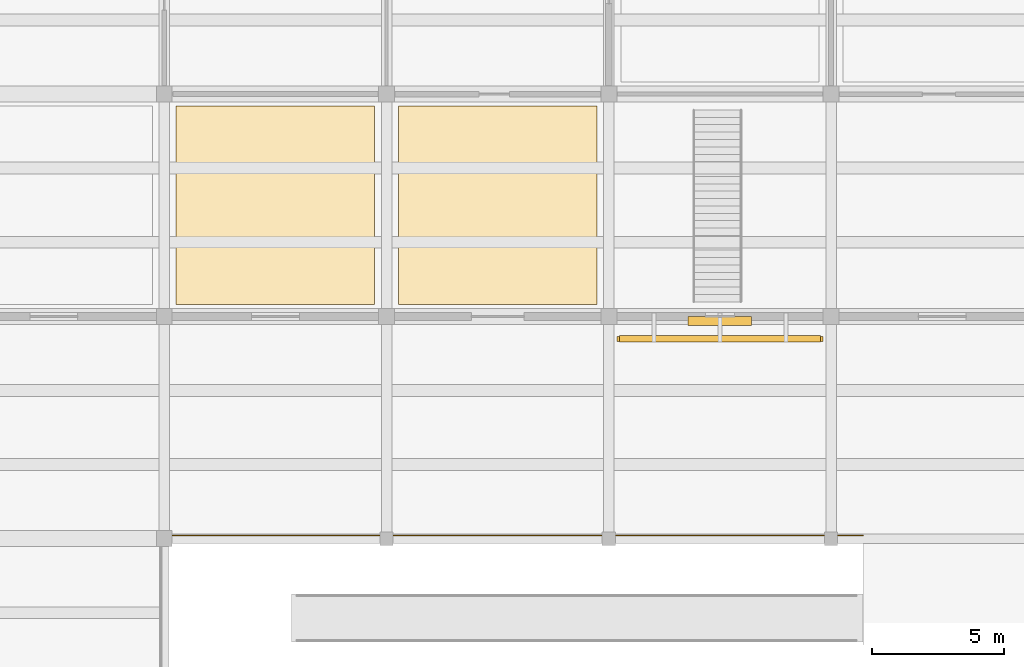
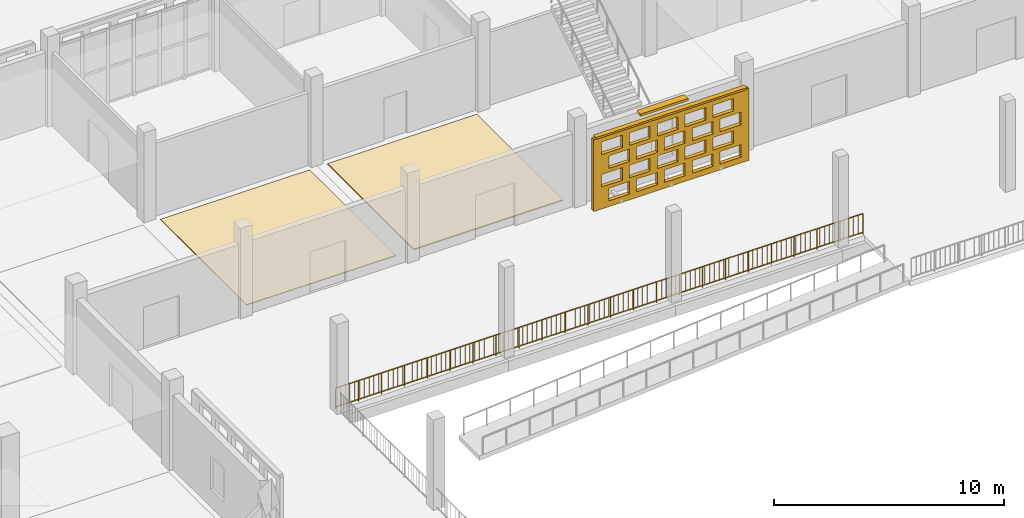
# One storey, part 91 of 129: 3 coverings, 2 shading devices, 1 railing, 20 openings.
"""IFC4 building model written with IfcOpenShell, lengths in metres."""

import ifcopenshell
import ifcopenshell.guid

model = None  # the IFC model being written
_history = None  # IfcOwnerHistory: only IFC2X3 demands one
_inside = {}  # id of a spatial element -> (the spatial element, [elements in it])
_under = {}  # id of a project, library or spatial element -> (it, [spatial elements below it])
_declared = {}  # id of a project -> (the project, [libraries it declares])
_typed = {}  # id of a type object -> (the type object, [elements of that type])
_made_of = {}  # id of a material, layer set ... -> (it, [elements and type objects made of it])


def new_model(schema):
    """Start an empty IFC model of exactly this schema.

    Asked for "IFC4X3", IfcOpenShell would pick the latest addendum, in which some entities
    have other attributes; the version numbers below select the first issue.
    IFC2X3 requires an IfcOwnerHistory on every rooted entity: one is made here for all.
    """
    global model, _history
    if schema == "IFC4X3":
        model = ifcopenshell.file(schema_version=(4, 3, 0, 0))
    else:
        model = ifcopenshell.file(schema=schema)
    _inside.clear()
    _under.clear()
    _declared.clear()
    _typed.clear()
    _made_of.clear()
    _history = None
    if model.schema == "IFC2X3":
        org = make("IfcOrganization", Name="unknown")
        user = make(
            "IfcPersonAndOrganization",
            ThePerson=make("IfcPerson", FamilyName="unknown"),
            TheOrganization=org,
        )
        app = make(
            "IfcApplication",
            ApplicationDeveloper=org,
            Version="unknown",
            ApplicationFullName="unknown",
            ApplicationIdentifier="unknown",
        )
        _history = make(
            "IfcOwnerHistory",
            OwningUser=user,
            OwningApplication=app,
            ChangeAction="ADDED",
            CreationDate=0,
        )
    return model


def make(cls, **values):
    """One entity of the class cls with the attributes given. An attribute that is None is left unset."""
    return model.create_entity(
        cls, **{name: value for name, value in values.items() if value is not None}
    )


def rooted(cls, **values):
    """An entity with a GlobalId (a new one), such as an element, a storey or a relation."""
    return make(cls, GlobalId=ifcopenshell.guid.new(), OwnerHistory=_history, **values)


def si_unit(unit_type, name, prefix=None):
    """IfcSIUnit, for example si_unit("LENGTHUNIT", "METRE", prefix="MILLI")."""
    return make("IfcSIUnit", UnitType=unit_type, Prefix=prefix, Name=name)


def assignment(units):
    """IfcUnitAssignment: the units of a project."""
    return None if units is None else make("IfcUnitAssignment", Units=units)


def point(xyz):
    """IfcCartesianPoint."""
    return None if xyz is None else make("IfcCartesianPoint", Coordinates=xyz)


def direction(xyz):
    """IfcDirection."""
    return None if xyz is None else make("IfcDirection", DirectionRatios=xyz)


def frame(location, z_axis=None, x_axis=None):
    """IfcAxis2Placement3D, a coordinate frame: its origin and axes. An axis left out is left unset."""
    return make(
        "IfcAxis2Placement3D",
        Location=point(location),
        Axis=direction(z_axis),
        RefDirection=direction(x_axis),
    )


def frame_2d(location, x_axis=None):
    """IfcAxis2Placement2D, a coordinate frame in the plane: its origin and x axis."""
    return make(
        "IfcAxis2Placement2D", Location=point(location), RefDirection=direction(x_axis)
    )


def origin():
    """The frame at (0, 0, 0) with its axes left unset."""
    return frame((0.0, 0.0, 0.0))


def origin_2d():
    """The frame at (0, 0) in the plane with its x axis left unset."""
    return frame_2d((0.0, 0.0))


def place(relative_to, where):
    """IfcLocalPlacement: puts the frame where relative to a parent placement (None: the world)."""
    return make(
        "IfcLocalPlacement", PlacementRelTo=relative_to, RelativePlacement=where
    )


def context(
    kind, dimensions, precision=None, world=None, true_north=None, identifier=None
):
    """IfcGeometricRepresentationContext, for example the 3D "Model" context."""
    return make(
        "IfcGeometricRepresentationContext",
        ContextIdentifier=identifier,
        ContextType=kind,
        CoordinateSpaceDimension=dimensions,
        Precision=precision,
        WorldCoordinateSystem=world,
        TrueNorth=true_north,
    )


def subcontext(parent, identifier, kind, view, scale=None):
    """IfcGeometricRepresentationSubContext, for example "Body" below "Model"."""
    return make(
        "IfcGeometricRepresentationSubContext",
        ContextIdentifier=identifier,
        ContextType=kind,
        ParentContext=parent,
        TargetScale=scale,
        TargetView=view,
    )


def project(units=None, contexts=None):
    """IfcProject with its units and contexts."""
    return rooted(
        "IfcProject",
        Name="project",
        RepresentationContexts=contexts,
        UnitsInContext=assignment(units),
    )


def spatial(cls, under=None, at=None, **own):
    """A site, building, storey or space (cls), placed at a placement, below another one or the project."""
    s = rooted(cls, ObjectPlacement=at, **own)
    if under is not None:
        _under.setdefault(under.id(), (under, []))[1].append(s)
    return s


def profile(cls, at=None, kind="AREA", **sizes):
    """A parametric profile (cls). Its sizes go by their IFC names, for example OverallWidth=200.0."""
    return make(cls, ProfileType=kind, Position=at, **sizes)


def rectangle(**sizes):
    """IfcRectangleProfileDef."""
    return profile("IfcRectangleProfileDef", **sizes)


def circle(**sizes):
    """IfcCircleProfileDef."""
    return profile("IfcCircleProfileDef", **sizes)


def extrude(swept, where, along, depth):
    """IfcExtrudedAreaSolid: the profile swept, set in the frame where, extruded along a direction by depth."""
    return make(
        "IfcExtrudedAreaSolid",
        SweptArea=swept,
        Position=where,
        ExtrudedDirection=direction(along),
        Depth=depth,
    )


def shape(context_of_items, identifier, shape_type, items):
    """IfcShapeRepresentation: the items that make up one representation, for example the "Body"."""
    return make(
        "IfcShapeRepresentation",
        ContextOfItems=context_of_items,
        RepresentationIdentifier=identifier,
        RepresentationType=shape_type,
        Items=items,
    )


def material(Name=None, Category=None):
    """IfcMaterial."""
    return make("IfcMaterial", Name=Name, Category=Category)


def layer(
    of_material, thickness, ventilated=None, Name=None, Category=None, Priority=None
):
    """IfcMaterialLayer: one layer of a wall or slab, of a material (None: an air gap)."""
    return make(
        "IfcMaterialLayer",
        Material=of_material,
        LayerThickness=thickness,
        IsVentilated=ventilated,
        Name=Name,
        Category=Category,
        Priority=Priority,
    )


def layer_set(layers, Name=None):
    """IfcMaterialLayerSet."""
    return make("IfcMaterialLayerSet", MaterialLayers=layers, LayerSetName=Name)


def made_of(thing, what):
    """Note that an element or type object is made of a material, layer set ...; save() writes the relation."""
    if what is not None:
        _made_of.setdefault(what.id(), (what, []))[1].append(thing)
    return thing


def type_object(cls, material=None, **own):
    """A type object (cls), such as IfcWallType, which elements share."""
    return made_of(rooted(cls, **own), material)


def element(
    cls,
    number,
    at=None,
    inside=None,
    cuts=None,
    type_object=None,
    material=None,
    context=None,
    identifier="Body",
    shape_type=None,
    held_by="IfcProductDefinitionShape",
    body=None,
    shapes=None,
    **own,
):
    """One element of the class cls, such as IfcWall. Its Tag is "e" and its number.

    at: its placement. inside: the storey or other place that contains it. cuts: it is an
    opening in that element (IfcRelVoidsElement). A single representation is given by context,
    identifier, shape_type and body (its items); several are given by shapes. held_by: the class
    of the entity that holds the representations. save() writes the other relations.
    """
    e = rooted(cls, Tag="e%d" % number, ObjectPlacement=at, **own)
    if body is not None:
        shapes = [shape(context, identifier, shape_type, body)]
    if shapes is not None:
        e.Representation = make(held_by, Representations=shapes)
    if inside is not None:
        _inside.setdefault(inside.id(), (inside, []))[1].append(e)
    if cuts is not None:
        rooted(
            "IfcRelVoidsElement", RelatingBuildingElement=cuts, RelatedOpeningElement=e
        )
    if type_object is not None:
        _typed.setdefault(type_object.id(), (type_object, []))[1].append(e)
    return made_of(e, material)


def aggregate(whole, parts):
    """IfcRelAggregates: a whole, such as a stair, and the parts it consists of."""
    return rooted("IfcRelAggregates", RelatingObject=whole, RelatedObjects=parts)


def save(model, path):
    """Write the relations noted so far, then the file.

    IfcRelAggregates (storeys below a building ...), IfcRelContainedInSpatialStructure (elements
    in a storey), IfcRelDefinesByType, IfcRelAssociatesMaterial and IfcRelDeclares: one each for
    every whole, place, type object, material and project.
    """
    for whole, parts in _under.values():
        aggregate(whole, parts)
    for where, things in _inside.values():
        rooted(
            "IfcRelContainedInSpatialStructure",
            RelatedElements=things,
            RelatingStructure=where,
        )
    for kind, things in _typed.values():
        rooted("IfcRelDefinesByType", RelatedObjects=things, RelatingType=kind)
    for what, things in _made_of.values():
        rooted("IfcRelAssociatesMaterial", RelatedObjects=things, RelatingMaterial=what)
    for by, libraries in _declared.values():
        rooted("IfcRelDeclares", RelatingContext=by, RelatedDefinitions=libraries)
    model.write(path)


model = new_model("IFC4")

# Units and contexts
model_context = context("Model", 3, precision=1e-05, world=origin(), true_north=direction((0.0, 1.0)))
body_context = subcontext(model_context, "Body", "Model", "MODEL_VIEW")
ifc_project = project(units=[si_unit("LENGTHUNIT", "METRE"), si_unit("AREAUNIT", "SQUARE_METRE"), si_unit("VOLUMEUNIT", "CUBIC_METRE"), si_unit("PLANEANGLEUNIT", "RADIAN"), si_unit("MASSUNIT", "GRAM", prefix="KILO")], contexts=[model_context])

# Site, building, storey
site_placement = place(None, origin())
site = spatial("IfcSite", under=ifc_project, at=site_placement, CompositionType="ELEMENT")
building_placement = place(site_placement, origin())
building = spatial("IfcBuilding", under=site, at=building_placement, Name="Varnapada Polytechnic", CompositionType="ELEMENT")
storey_placement = place(building_placement, origin())
storey = spatial("IfcBuildingStorey", under=building, at=storey_placement, Name="L00", CompositionType="ELEMENT", Elevation=0.0)

# Coverings
ifc_material_1 = material(Name="End-Grain Timber Studio Block Flooring", Category="wood")
ifc_layer_1 = layer(ifc_material_1, 0.054931640625)
ifc_layer_set_1 = layer_set([ifc_layer_1], Name="End-Grain Timber Studio Block Flooring")
covering_type_1 = type_object("IfcCoveringType", Name="Floor Finish FLR-04", PredefinedType="FLOORING", material=ifc_layer_set_1)
covering_1_placement = place(storey_placement, frame((71.39990234375, 29.39990234375, 0.0), z_axis=(0.0, 0.0, 1.0), x_axis=(1.0, 0.0, 0.0)))
element("IfcCovering", 1, at=covering_1_placement, inside=storey, type_object=covering_type_1, Name="L00 floor finish panel (9,4)", PredefinedType="FLOORING", context=body_context, shape_type="SweptSolid", body=[
    extrude(rectangle(XDim=7.5, YDim=7.5, at=origin_2d()), origin(), (0.0, 0.0, 1.0), 0.054931640625),
])
ifc_material_2 = material(Name="Acoustic Rubber Seminar Flooring")
ifc_layer_2 = layer(ifc_material_2, 0.0400390625)
ifc_layer_set_2 = layer_set([ifc_layer_2], Name="Acoustic Rubber Seminar Flooring")
covering_type_2 = type_object("IfcCoveringType", Name="Floor Finish FLR-06", PredefinedType="FLOORING", material=ifc_layer_set_2)
covering_2_placement = place(storey_placement, frame((63.0, 29.39990234375, 0.0), z_axis=(0.0, 0.0, 1.0), x_axis=(1.0, 0.0, 0.0)))
element("IfcCovering", 2, at=covering_2_placement, inside=storey, type_object=covering_type_2, Name="L00 floor finish panel (8,4)", PredefinedType="FLOORING", context=body_context, shape_type="SweptSolid", body=[
    extrude(rectangle(XDim=7.5, YDim=7.5, at=origin_2d()), origin(), (0.0, 0.0, 1.0), 0.0400390625),
])

# Shading device
ifc_material_3 = material(Name="Anodised aluminium", Category="aluminium")
ifc_layer_3 = layer(ifc_material_3, 0.35009765625)
ifc_layer_set_3 = layer_set([ifc_layer_3], Name="Anodised aluminium")
shading_device_type_1 = type_object("IfcShadingDeviceType", Name="Solar Louvre LVR-01", PredefinedType="JALOUSIE", material=ifc_layer_set_3)
shading_device_1_placement = place(storey_placement, frame((79.800048828125, 25.02001953125, 3.760009765625), z_axis=(0.0, 0.0, 1.0), x_axis=(-1.0, 0.0, 0.0)))
element("IfcShadingDevice", 3, at=shading_device_1_placement, inside=storey, type_object=shading_device_type_1, Name="L00 aluminium sun louvre 52", PredefinedType="JALOUSIE", context=body_context, shape_type="SweptSolid", body=[
    extrude(rectangle(XDim=2.39990234375, YDim=0.340087890625, at=origin_2d()), origin(), (0.0, 0.0, 1.0), 0.1201171875),
])

# Railing
ifc_material_4 = material(Name="Painted galvanized steel", Category="steel")
railing_type = type_object("IfcRailingType", Name="Terrace Guard Rail GRD-01", PredefinedType="BALUSTRADE", material=ifc_material_4)
railing_placement = place(storey_placement, frame((58.679931640625, 16.919921875, 0.0)))
element("IfcRailing", 4, at=railing_placement, inside=storey, type_object=railing_type, Name="L00 civic square colonnade edge guard GRD-SQ-NW", PredefinedType="BALUSTRADE", context=body_context, shape_type="SweptSolid", body=[
    extrude(circle(Radius=0.02392578125, at=origin_2d()), frame((0.0, 0.0, 1.09619140625), z_axis=(1.0, 0.0, 0.0), x_axis=(0.0, 1.0, 0.0)), (0.0, 0.0, 1.0), 26.52001953125),
    extrude(circle(Radius=0.02392578125, at=origin_2d()), frame((0.0, 0.0, 0.10009765625), z_axis=(1.0, 0.0, 0.0), x_axis=(0.0, 1.0, 0.0)), (0.0, 0.0, 1.0), 26.52001953125),
    extrude(circle(Radius=0.02099609375, at=origin_2d()), origin(), (0.0, 0.0, 1.0), 1.072021484375),
    extrude(circle(Radius=0.02099609375, at=origin_2d()), frame((1.153076171875, 0.0, 0.0)), (0.0, 0.0, 1.0), 1.072021484375),
    extrude(circle(Radius=0.02099609375, at=origin_2d()), frame((2.30615234375, 0.0, 0.0)), (0.0, 0.0, 1.0), 1.072021484375),
    extrude(circle(Radius=0.02099609375, at=origin_2d()), frame((3.459228515625, 0.0, 0.0)), (0.0, 0.0, 1.0), 1.072021484375),
    extrude(circle(Radius=0.02099609375, at=origin_2d()), frame((4.612060546875, 0.0, 0.0)), (0.0, 0.0, 1.0), 1.072021484375),
    extrude(circle(Radius=0.02099609375, at=origin_2d()), frame((5.76513671875, 0.0, 0.0)), (0.0, 0.0, 1.0), 1.072021484375),
    extrude(circle(Radius=0.02099609375, at=origin_2d()), frame((6.918212890625, 0.0, 0.0)), (0.0, 0.0, 1.0), 1.072021484375),
    extrude(circle(Radius=0.02099609375, at=origin_2d()), frame((8.0712890625, 0.0, 0.0)), (0.0, 0.0, 1.0), 1.072021484375),
    extrude(circle(Radius=0.02099609375, at=origin_2d()), frame((9.224365234375, 0.0, 0.0)), (0.0, 0.0, 1.0), 1.072021484375),
    extrude(circle(Radius=0.02099609375, at=origin_2d()), frame((10.37744140625, 0.0, 0.0)), (0.0, 0.0, 1.0), 1.072021484375),
    extrude(circle(Radius=0.02099609375, at=origin_2d()), frame((11.530517578125, 0.0, 0.0)), (0.0, 0.0, 1.0), 1.072021484375),
    extrude(circle(Radius=0.02099609375, at=origin_2d()), frame((12.68359375, 0.0, 0.0)), (0.0, 0.0, 1.0), 1.072021484375),
    extrude(circle(Radius=0.02099609375, at=origin_2d()), frame((13.83642578125, 0.0, 0.0)), (0.0, 0.0, 1.0), 1.072021484375),
    extrude(circle(Radius=0.02099609375, at=origin_2d()), frame((14.989501953125, 0.0, 0.0)), (0.0, 0.0, 1.0), 1.072021484375),
    extrude(circle(Radius=0.02099609375, at=origin_2d()), frame((16.142578125, 0.0, 0.0)), (0.0, 0.0, 1.0), 1.072021484375),
    extrude(circle(Radius=0.02099609375, at=origin_2d()), frame((17.295654296875, 0.0, 0.0)), (0.0, 0.0, 1.0), 1.072021484375),
    extrude(circle(Radius=0.02099609375, at=origin_2d()), frame((18.44873046875, 0.0, 0.0)), (0.0, 0.0, 1.0), 1.072021484375),
    extrude(circle(Radius=0.02099609375, at=origin_2d()), frame((19.601806640625, 0.0, 0.0)), (0.0, 0.0, 1.0), 1.072021484375),
    extrude(circle(Radius=0.02099609375, at=origin_2d()), frame((20.7548828125, 0.0, 0.0)), (0.0, 0.0, 1.0), 1.072021484375),
    extrude(circle(Radius=0.02099609375, at=origin_2d()), frame((21.907958984375, 0.0, 0.0)), (0.0, 0.0, 1.0), 1.072021484375),
    extrude(circle(Radius=0.02099609375, at=origin_2d()), frame((23.060791015625, 0.0, 0.0)), (0.0, 0.0, 1.0), 1.072021484375),
    extrude(circle(Radius=0.02099609375, at=origin_2d()), frame((24.2138671875, 0.0, 0.0)), (0.0, 0.0, 1.0), 1.072021484375),
    extrude(circle(Radius=0.02099609375, at=origin_2d()), frame((25.366943359375, 0.0, 0.0)), (0.0, 0.0, 1.0), 1.072021484375),
    extrude(circle(Radius=0.02099609375, at=origin_2d()), frame((26.52001953125, 0.0, 0.0)), (0.0, 0.0, 1.0), 1.072021484375),
    extrude(circle(Radius=0.010009765625, at=origin_2d()), frame((0.2412109375, 0.0, 0.10009765625)), (0.0, 0.0, 1.0), 0.971923828125),
    extrude(circle(Radius=0.010009765625, at=origin_2d()), frame((0.482177734375, 0.0, 0.10009765625)), (0.0, 0.0, 1.0), 0.971923828125),
    extrude(circle(Radius=0.010009765625, at=origin_2d()), frame((0.723388671875, 0.0, 0.10009765625)), (0.0, 0.0, 1.0), 0.971923828125),
    extrude(circle(Radius=0.010009765625, at=origin_2d()), frame((0.96435546875, 0.0, 0.10009765625)), (0.0, 0.0, 1.0), 0.971923828125),
    extrude(circle(Radius=0.010009765625, at=origin_2d()), frame((1.20556640625, 0.0, 0.10009765625)), (0.0, 0.0, 1.0), 0.971923828125),
    extrude(circle(Radius=0.010009765625, at=origin_2d()), frame((1.446533203125, 0.0, 0.10009765625)), (0.0, 0.0, 1.0), 0.971923828125),
    extrude(circle(Radius=0.010009765625, at=origin_2d()), frame((1.687744140625, 0.0, 0.10009765625)), (0.0, 0.0, 1.0), 0.971923828125),
    extrude(circle(Radius=0.010009765625, at=origin_2d()), frame((1.9287109375, 0.0, 0.10009765625)), (0.0, 0.0, 1.0), 0.971923828125),
    extrude(circle(Radius=0.010009765625, at=origin_2d()), frame((2.169921875, 0.0, 0.10009765625)), (0.0, 0.0, 1.0), 0.971923828125),
    extrude(circle(Radius=0.010009765625, at=origin_2d()), frame((2.410888671875, 0.0, 0.10009765625)), (0.0, 0.0, 1.0), 0.971923828125),
    extrude(circle(Radius=0.010009765625, at=origin_2d()), frame((2.652099609375, 0.0, 0.10009765625)), (0.0, 0.0, 1.0), 0.971923828125),
    extrude(circle(Radius=0.010009765625, at=origin_2d()), frame((2.89306640625, 0.0, 0.10009765625)), (0.0, 0.0, 1.0), 0.971923828125),
    extrude(circle(Radius=0.010009765625, at=origin_2d()), frame((3.13427734375, 0.0, 0.10009765625)), (0.0, 0.0, 1.0), 0.971923828125),
    extrude(circle(Radius=0.010009765625, at=origin_2d()), frame((3.375244140625, 0.0, 0.10009765625)), (0.0, 0.0, 1.0), 0.971923828125),
    extrude(circle(Radius=0.010009765625, at=origin_2d()), frame((3.616455078125, 0.0, 0.10009765625)), (0.0, 0.0, 1.0), 0.971923828125),
    extrude(circle(Radius=0.010009765625, at=origin_2d()), frame((3.857421875, 0.0, 0.10009765625)), (0.0, 0.0, 1.0), 0.971923828125),
    extrude(circle(Radius=0.010009765625, at=origin_2d()), frame((4.0986328125, 0.0, 0.10009765625)), (0.0, 0.0, 1.0), 0.971923828125),
    extrude(circle(Radius=0.010009765625, at=origin_2d()), frame((4.339599609375, 0.0, 0.10009765625)), (0.0, 0.0, 1.0), 0.971923828125),
    extrude(circle(Radius=0.010009765625, at=origin_2d()), frame((4.580810546875, 0.0, 0.10009765625)), (0.0, 0.0, 1.0), 0.971923828125),
    extrude(circle(Radius=0.010009765625, at=origin_2d()), frame((4.82177734375, 0.0, 0.10009765625)), (0.0, 0.0, 1.0), 0.971923828125),
    extrude(circle(Radius=0.010009765625, at=origin_2d()), frame((5.06298828125, 0.0, 0.10009765625)), (0.0, 0.0, 1.0), 0.971923828125),
    extrude(circle(Radius=0.010009765625, at=origin_2d()), frame((5.303955078125, 0.0, 0.10009765625)), (0.0, 0.0, 1.0), 0.971923828125),
    extrude(circle(Radius=0.010009765625, at=origin_2d()), frame((5.545166015625, 0.0, 0.10009765625)), (0.0, 0.0, 1.0), 0.971923828125),
    extrude(circle(Radius=0.010009765625, at=origin_2d()), frame((5.7861328125, 0.0, 0.10009765625)), (0.0, 0.0, 1.0), 0.971923828125),
    extrude(circle(Radius=0.010009765625, at=origin_2d()), frame((6.02734375, 0.0, 0.10009765625)), (0.0, 0.0, 1.0), 0.971923828125),
    extrude(circle(Radius=0.010009765625, at=origin_2d()), frame((6.268310546875, 0.0, 0.10009765625)), (0.0, 0.0, 1.0), 0.971923828125),
    extrude(circle(Radius=0.010009765625, at=origin_2d()), frame((6.509521484375, 0.0, 0.10009765625)), (0.0, 0.0, 1.0), 0.971923828125),
    extrude(circle(Radius=0.010009765625, at=origin_2d()), frame((6.75048828125, 0.0, 0.10009765625)), (0.0, 0.0, 1.0), 0.971923828125),
    extrude(circle(Radius=0.010009765625, at=origin_2d()), frame((6.99169921875, 0.0, 0.10009765625)), (0.0, 0.0, 1.0), 0.971923828125),
    extrude(circle(Radius=0.010009765625, at=origin_2d()), frame((7.232666015625, 0.0, 0.10009765625)), (0.0, 0.0, 1.0), 0.971923828125),
    extrude(circle(Radius=0.010009765625, at=origin_2d()), frame((7.473876953125, 0.0, 0.10009765625)), (0.0, 0.0, 1.0), 0.971923828125),
    extrude(circle(Radius=0.010009765625, at=origin_2d()), frame((7.71484375, 0.0, 0.10009765625)), (0.0, 0.0, 1.0), 0.971923828125),
    extrude(circle(Radius=0.010009765625, at=origin_2d()), frame((7.9560546875, 0.0, 0.10009765625)), (0.0, 0.0, 1.0), 0.971923828125),
    extrude(circle(Radius=0.010009765625, at=origin_2d()), frame((8.197021484375, 0.0, 0.10009765625)), (0.0, 0.0, 1.0), 0.971923828125),
    extrude(circle(Radius=0.010009765625, at=origin_2d()), frame((8.438232421875, 0.0, 0.10009765625)), (0.0, 0.0, 1.0), 0.971923828125),
    extrude(circle(Radius=0.010009765625, at=origin_2d()), frame((8.67919921875, 0.0, 0.10009765625)), (0.0, 0.0, 1.0), 0.971923828125),
    extrude(circle(Radius=0.010009765625, at=origin_2d()), frame((8.92041015625, 0.0, 0.10009765625)), (0.0, 0.0, 1.0), 0.971923828125),
    extrude(circle(Radius=0.010009765625, at=origin_2d()), frame((9.161376953125, 0.0, 0.10009765625)), (0.0, 0.0, 1.0), 0.971923828125),
    extrude(circle(Radius=0.010009765625, at=origin_2d()), frame((9.402587890625, 0.0, 0.10009765625)), (0.0, 0.0, 1.0), 0.971923828125),
    extrude(circle(Radius=0.010009765625, at=origin_2d()), frame((9.6435546875, 0.0, 0.10009765625)), (0.0, 0.0, 1.0), 0.971923828125),
    extrude(circle(Radius=0.010009765625, at=origin_2d()), frame((9.884765625, 0.0, 0.10009765625)), (0.0, 0.0, 1.0), 0.971923828125),
    extrude(circle(Radius=0.010009765625, at=origin_2d()), frame((10.125732421875, 0.0, 0.10009765625)), (0.0, 0.0, 1.0), 0.971923828125),
    extrude(circle(Radius=0.010009765625, at=origin_2d()), frame((10.366943359375, 0.0, 0.10009765625)), (0.0, 0.0, 1.0), 0.971923828125),
    extrude(circle(Radius=0.010009765625, at=origin_2d()), frame((10.60791015625, 0.0, 0.10009765625)), (0.0, 0.0, 1.0), 0.971923828125),
    extrude(circle(Radius=0.010009765625, at=origin_2d()), frame((10.84912109375, 0.0, 0.10009765625)), (0.0, 0.0, 1.0), 0.971923828125),
    extrude(circle(Radius=0.010009765625, at=origin_2d()), frame((11.090087890625, 0.0, 0.10009765625)), (0.0, 0.0, 1.0), 0.971923828125),
    extrude(circle(Radius=0.010009765625, at=origin_2d()), frame((11.331298828125, 0.0, 0.10009765625)), (0.0, 0.0, 1.0), 0.971923828125),
    extrude(circle(Radius=0.010009765625, at=origin_2d()), frame((11.572265625, 0.0, 0.10009765625)), (0.0, 0.0, 1.0), 0.971923828125),
    extrude(circle(Radius=0.010009765625, at=origin_2d()), frame((11.8134765625, 0.0, 0.10009765625)), (0.0, 0.0, 1.0), 0.971923828125),
    extrude(circle(Radius=0.010009765625, at=origin_2d()), frame((12.054443359375, 0.0, 0.10009765625)), (0.0, 0.0, 1.0), 0.971923828125),
    extrude(circle(Radius=0.010009765625, at=origin_2d()), frame((12.295654296875, 0.0, 0.10009765625)), (0.0, 0.0, 1.0), 0.971923828125),
    extrude(circle(Radius=0.010009765625, at=origin_2d()), frame((12.53662109375, 0.0, 0.10009765625)), (0.0, 0.0, 1.0), 0.971923828125),
    extrude(circle(Radius=0.010009765625, at=origin_2d()), frame((12.77783203125, 0.0, 0.10009765625)), (0.0, 0.0, 1.0), 0.971923828125),
    extrude(circle(Radius=0.010009765625, at=origin_2d()), frame((13.018798828125, 0.0, 0.10009765625)), (0.0, 0.0, 1.0), 0.971923828125),
    extrude(circle(Radius=0.010009765625, at=origin_2d()), frame((13.260009765625, 0.0, 0.10009765625)), (0.0, 0.0, 1.0), 0.971923828125),
    extrude(circle(Radius=0.010009765625, at=origin_2d()), frame((13.501220703125, 0.0, 0.10009765625)), (0.0, 0.0, 1.0), 0.971923828125),
    extrude(circle(Radius=0.010009765625, at=origin_2d()), frame((13.7421875, 0.0, 0.10009765625)), (0.0, 0.0, 1.0), 0.971923828125),
    extrude(circle(Radius=0.010009765625, at=origin_2d()), frame((13.9833984375, 0.0, 0.10009765625)), (0.0, 0.0, 1.0), 0.971923828125),
    extrude(circle(Radius=0.010009765625, at=origin_2d()), frame((14.224365234375, 0.0, 0.10009765625)), (0.0, 0.0, 1.0), 0.971923828125),
    extrude(circle(Radius=0.010009765625, at=origin_2d()), frame((14.465576171875, 0.0, 0.10009765625)), (0.0, 0.0, 1.0), 0.971923828125),
    extrude(circle(Radius=0.010009765625, at=origin_2d()), frame((14.70654296875, 0.0, 0.10009765625)), (0.0, 0.0, 1.0), 0.971923828125),
    extrude(circle(Radius=0.010009765625, at=origin_2d()), frame((14.94775390625, 0.0, 0.10009765625)), (0.0, 0.0, 1.0), 0.971923828125),
    extrude(circle(Radius=0.010009765625, at=origin_2d()), frame((15.188720703125, 0.0, 0.10009765625)), (0.0, 0.0, 1.0), 0.971923828125),
    extrude(circle(Radius=0.010009765625, at=origin_2d()), frame((15.429931640625, 0.0, 0.10009765625)), (0.0, 0.0, 1.0), 0.971923828125),
    extrude(circle(Radius=0.010009765625, at=origin_2d()), frame((15.6708984375, 0.0, 0.10009765625)), (0.0, 0.0, 1.0), 0.971923828125),
    extrude(circle(Radius=0.010009765625, at=origin_2d()), frame((15.912109375, 0.0, 0.10009765625)), (0.0, 0.0, 1.0), 0.971923828125),
    extrude(circle(Radius=0.010009765625, at=origin_2d()), frame((16.153076171875, 0.0, 0.10009765625)), (0.0, 0.0, 1.0), 0.971923828125),
    extrude(circle(Radius=0.010009765625, at=origin_2d()), frame((16.394287109375, 0.0, 0.10009765625)), (0.0, 0.0, 1.0), 0.971923828125),
    extrude(circle(Radius=0.010009765625, at=origin_2d()), frame((16.63525390625, 0.0, 0.10009765625)), (0.0, 0.0, 1.0), 0.971923828125),
    extrude(circle(Radius=0.010009765625, at=origin_2d()), frame((16.87646484375, 0.0, 0.10009765625)), (0.0, 0.0, 1.0), 0.971923828125),
    extrude(circle(Radius=0.010009765625, at=origin_2d()), frame((17.117431640625, 0.0, 0.10009765625)), (0.0, 0.0, 1.0), 0.971923828125),
    extrude(circle(Radius=0.010009765625, at=origin_2d()), frame((17.358642578125, 0.0, 0.10009765625)), (0.0, 0.0, 1.0), 0.971923828125),
    extrude(circle(Radius=0.010009765625, at=origin_2d()), frame((17.599609375, 0.0, 0.10009765625)), (0.0, 0.0, 1.0), 0.971923828125),
    extrude(circle(Radius=0.010009765625, at=origin_2d()), frame((17.8408203125, 0.0, 0.10009765625)), (0.0, 0.0, 1.0), 0.971923828125),
    extrude(circle(Radius=0.010009765625, at=origin_2d()), frame((18.081787109375, 0.0, 0.10009765625)), (0.0, 0.0, 1.0), 0.971923828125),
    extrude(circle(Radius=0.010009765625, at=origin_2d()), frame((18.322998046875, 0.0, 0.10009765625)), (0.0, 0.0, 1.0), 0.971923828125),
    extrude(circle(Radius=0.010009765625, at=origin_2d()), frame((18.56396484375, 0.0, 0.10009765625)), (0.0, 0.0, 1.0), 0.971923828125),
    extrude(circle(Radius=0.010009765625, at=origin_2d()), frame((18.80517578125, 0.0, 0.10009765625)), (0.0, 0.0, 1.0), 0.971923828125),
    extrude(circle(Radius=0.010009765625, at=origin_2d()), frame((19.046142578125, 0.0, 0.10009765625)), (0.0, 0.0, 1.0), 0.971923828125),
    extrude(circle(Radius=0.010009765625, at=origin_2d()), frame((19.287353515625, 0.0, 0.10009765625)), (0.0, 0.0, 1.0), 0.971923828125),
    extrude(circle(Radius=0.010009765625, at=origin_2d()), frame((19.5283203125, 0.0, 0.10009765625)), (0.0, 0.0, 1.0), 0.971923828125),
    extrude(circle(Radius=0.010009765625, at=origin_2d()), frame((19.76953125, 0.0, 0.10009765625)), (0.0, 0.0, 1.0), 0.971923828125),
    extrude(circle(Radius=0.010009765625, at=origin_2d()), frame((20.010498046875, 0.0, 0.10009765625)), (0.0, 0.0, 1.0), 0.971923828125),
    extrude(circle(Radius=0.010009765625, at=origin_2d()), frame((20.251708984375, 0.0, 0.10009765625)), (0.0, 0.0, 1.0), 0.971923828125),
    extrude(circle(Radius=0.010009765625, at=origin_2d()), frame((20.49267578125, 0.0, 0.10009765625)), (0.0, 0.0, 1.0), 0.971923828125),
    extrude(circle(Radius=0.010009765625, at=origin_2d()), frame((20.73388671875, 0.0, 0.10009765625)), (0.0, 0.0, 1.0), 0.971923828125),
    extrude(circle(Radius=0.010009765625, at=origin_2d()), frame((20.974853515625, 0.0, 0.10009765625)), (0.0, 0.0, 1.0), 0.971923828125),
    extrude(circle(Radius=0.010009765625, at=origin_2d()), frame((21.216064453125, 0.0, 0.10009765625)), (0.0, 0.0, 1.0), 0.971923828125),
    extrude(circle(Radius=0.010009765625, at=origin_2d()), frame((21.45703125, 0.0, 0.10009765625)), (0.0, 0.0, 1.0), 0.971923828125),
    extrude(circle(Radius=0.010009765625, at=origin_2d()), frame((21.6982421875, 0.0, 0.10009765625)), (0.0, 0.0, 1.0), 0.971923828125),
    extrude(circle(Radius=0.010009765625, at=origin_2d()), frame((21.939208984375, 0.0, 0.10009765625)), (0.0, 0.0, 1.0), 0.971923828125),
    extrude(circle(Radius=0.010009765625, at=origin_2d()), frame((22.180419921875, 0.0, 0.10009765625)), (0.0, 0.0, 1.0), 0.971923828125),
    extrude(circle(Radius=0.010009765625, at=origin_2d()), frame((22.42138671875, 0.0, 0.10009765625)), (0.0, 0.0, 1.0), 0.971923828125),
    extrude(circle(Radius=0.010009765625, at=origin_2d()), frame((22.66259765625, 0.0, 0.10009765625)), (0.0, 0.0, 1.0), 0.971923828125),
    extrude(circle(Radius=0.010009765625, at=origin_2d()), frame((22.903564453125, 0.0, 0.10009765625)), (0.0, 0.0, 1.0), 0.971923828125),
    extrude(circle(Radius=0.010009765625, at=origin_2d()), frame((23.144775390625, 0.0, 0.10009765625)), (0.0, 0.0, 1.0), 0.971923828125),
    extrude(circle(Radius=0.010009765625, at=origin_2d()), frame((23.3857421875, 0.0, 0.10009765625)), (0.0, 0.0, 1.0), 0.971923828125),
    extrude(circle(Radius=0.010009765625, at=origin_2d()), frame((23.626953125, 0.0, 0.10009765625)), (0.0, 0.0, 1.0), 0.971923828125),
    extrude(circle(Radius=0.010009765625, at=origin_2d()), frame((23.867919921875, 0.0, 0.10009765625)), (0.0, 0.0, 1.0), 0.971923828125),
    extrude(circle(Radius=0.010009765625, at=origin_2d()), frame((24.109130859375, 0.0, 0.10009765625)), (0.0, 0.0, 1.0), 0.971923828125),
    extrude(circle(Radius=0.010009765625, at=origin_2d()), frame((24.35009765625, 0.0, 0.10009765625)), (0.0, 0.0, 1.0), 0.971923828125),
    extrude(circle(Radius=0.010009765625, at=origin_2d()), frame((24.59130859375, 0.0, 0.10009765625)), (0.0, 0.0, 1.0), 0.971923828125),
    extrude(circle(Radius=0.010009765625, at=origin_2d()), frame((24.832275390625, 0.0, 0.10009765625)), (0.0, 0.0, 1.0), 0.971923828125),
    extrude(circle(Radius=0.010009765625, at=origin_2d()), frame((25.073486328125, 0.0, 0.10009765625)), (0.0, 0.0, 1.0), 0.971923828125),
    extrude(circle(Radius=0.010009765625, at=origin_2d()), frame((25.314453125, 0.0, 0.10009765625)), (0.0, 0.0, 1.0), 0.971923828125),
    extrude(circle(Radius=0.010009765625, at=origin_2d()), frame((25.5556640625, 0.0, 0.10009765625)), (0.0, 0.0, 1.0), 0.971923828125),
    extrude(circle(Radius=0.010009765625, at=origin_2d()), frame((25.796630859375, 0.0, 0.10009765625)), (0.0, 0.0, 1.0), 0.971923828125),
    extrude(circle(Radius=0.010009765625, at=origin_2d()), frame((26.037841796875, 0.0, 0.10009765625)), (0.0, 0.0, 1.0), 0.971923828125),
    extrude(circle(Radius=0.010009765625, at=origin_2d()), frame((26.27880859375, 0.0, 0.10009765625)), (0.0, 0.0, 1.0), 0.971923828125),
])

# Covering, openings
ifc_material_5 = material(Name="Earth-toned architectural terracotta screen block", Category="masonry")
ifc_layer_4 = layer(ifc_material_5, 0.1201171875)
ifc_layer_set_4 = layer_set([ifc_layer_4], Name="Earth-toned architectural terracotta screen block")
covering_type_3 = type_object("IfcCoveringType", Name="Terracotta Screen Cladding CLD-01", PredefinedType="CLADDING", material=ifc_layer_set_4)
covering_3_placement = place(storey_placement, frame((83.699951171875, 24.35009765625, 0.0), z_axis=(0.0, 0.0, 1.0), x_axis=(-1.0, 0.0, 0.0)))
covering_3 = element("IfcCovering", 5, at=covering_3_placement, inside=storey, type_object=covering_type_3, Name="L00 perforated terracotta block screen (52)", PredefinedType="CLADDING", context=body_context, shape_type="SweptSolid", body=[
    extrude(rectangle(XDim=7.800048828125, YDim=0.179931640625, at=frame_2d((3.89990234375, 0.0))), origin(), (0.0, 0.0, 1.0), 3.830078125),
])
opening_1_placement = place(covering_3_placement, frame((0.39990234375, 0.0, 0.306396484375)))
element("IfcOpeningElement", 6, at=opening_1_placement, cuts=covering_3, Name="Screen perforation TBS-L00-051.1", PredefinedType="OPENING", context=body_context, shape_type="SweptSolid", body=[
    extrude(rectangle(XDim=1.0400390625, YDim=0.67041015625, at=frame_2d((0.52001953125, 0.335205078125))), frame((0.0, 0.099853515625, 0.0), z_axis=(0.0, -1.0, 0.0), x_axis=(1.0, 0.0, 0.0)), (0.0, 0.0, 1.0), 0.199951171875),
])
opening_2_placement = place(covering_3_placement, frame((1.800048828125, 0.0, 0.306396484375)))
element("IfcOpeningElement", 7, at=opening_2_placement, cuts=covering_3, Name="Screen perforation TBS-L00-051.2", PredefinedType="OPENING", context=body_context, shape_type="SweptSolid", body=[
    extrude(rectangle(XDim=1.0400390625, YDim=0.67041015625, at=frame_2d((0.52001953125, 0.335205078125))), frame((0.0, 0.099853515625, 0.0), z_axis=(0.0, -1.0, 0.0), x_axis=(1.0, 0.0, 0.0)), (0.0, 0.0, 1.0), 0.199951171875),
])
opening_3_placement = place(covering_3_placement, frame((3.199951171875, 0.0, 0.306396484375)))
element("IfcOpeningElement", 8, at=opening_3_placement, cuts=covering_3, Name="Screen perforation TBS-L00-051.3", PredefinedType="OPENING", context=body_context, shape_type="SweptSolid", body=[
    extrude(rectangle(XDim=1.0400390625, YDim=0.67041015625, at=frame_2d((0.52001953125, 0.335205078125))), frame((0.0, 0.099853515625, 0.0), z_axis=(0.0, -1.0, 0.0), x_axis=(1.0, 0.0, 0.0)), (0.0, 0.0, 1.0), 0.199951171875),
])
opening_4_placement = place(covering_3_placement, frame((4.60009765625, 0.0, 0.306396484375)))
element("IfcOpeningElement", 9, at=opening_4_placement, cuts=covering_3, Name="Screen perforation TBS-L00-051.4", PredefinedType="OPENING", context=body_context, shape_type="SweptSolid", body=[
    extrude(rectangle(XDim=1.0400390625, YDim=0.67041015625, at=frame_2d((0.52001953125, 0.335205078125))), frame((0.0, 0.099853515625, 0.0), z_axis=(0.0, -1.0, 0.0), x_axis=(1.0, 0.0, 0.0)), (0.0, 0.0, 1.0), 0.199951171875),
])
opening_5_placement = place(covering_3_placement, frame((6.0, 0.0, 0.306396484375)))
element("IfcOpeningElement", 10, at=opening_5_placement, cuts=covering_3, Name="Screen perforation TBS-L00-051.5", PredefinedType="OPENING", context=body_context, shape_type="SweptSolid", body=[
    extrude(rectangle(XDim=1.0400390625, YDim=0.67041015625, at=frame_2d((0.52001953125, 0.335205078125))), frame((0.0, 0.099853515625, 0.0), z_axis=(0.0, -1.0, 0.0), x_axis=(1.0, 0.0, 0.0)), (0.0, 0.0, 1.0), 0.199951171875),
])
opening_6_placement = place(covering_3_placement, frame((0.760009765625, 0.0, 1.168212890625)))
element("IfcOpeningElement", 11, at=opening_6_placement, cuts=covering_3, Name="Screen perforation TBS-L00-051.6", PredefinedType="OPENING", context=body_context, shape_type="SweptSolid", body=[
    extrude(rectangle(XDim=1.0400390625, YDim=0.67041015625, at=frame_2d((0.52001953125, 0.335205078125))), frame((0.0, 0.099853515625, 0.0), z_axis=(0.0, -1.0, 0.0), x_axis=(1.0, 0.0, 0.0)), (0.0, 0.0, 1.0), 0.199951171875),
])
opening_7_placement = place(covering_3_placement, frame((2.159912109375, 0.0, 1.168212890625)))
element("IfcOpeningElement", 12, at=opening_7_placement, cuts=covering_3, Name="Screen perforation TBS-L00-051.7", PredefinedType="OPENING", context=body_context, shape_type="SweptSolid", body=[
    extrude(rectangle(XDim=1.0400390625, YDim=0.67041015625, at=frame_2d((0.52001953125, 0.335205078125))), frame((0.0, 0.099853515625, 0.0), z_axis=(0.0, -1.0, 0.0), x_axis=(1.0, 0.0, 0.0)), (0.0, 0.0, 1.0), 0.199951171875),
])
opening_8_placement = place(covering_3_placement, frame((3.56005859375, 0.0, 1.168212890625)))
element("IfcOpeningElement", 13, at=opening_8_placement, cuts=covering_3, Name="Screen perforation TBS-L00-051.8", PredefinedType="OPENING", context=body_context, shape_type="SweptSolid", body=[
    extrude(rectangle(XDim=1.0400390625, YDim=0.67041015625, at=frame_2d((0.52001953125, 0.335205078125))), frame((0.0, 0.099853515625, 0.0), z_axis=(0.0, -1.0, 0.0), x_axis=(1.0, 0.0, 0.0)), (0.0, 0.0, 1.0), 0.199951171875),
])
opening_9_placement = place(covering_3_placement, frame((4.9599609375, 0.0, 1.168212890625)))
element("IfcOpeningElement", 14, at=opening_9_placement, cuts=covering_3, Name="Screen perforation TBS-L00-051.9", PredefinedType="OPENING", context=body_context, shape_type="SweptSolid", body=[
    extrude(rectangle(XDim=1.0400390625, YDim=0.67041015625, at=frame_2d((0.52001953125, 0.335205078125))), frame((0.0, 0.099853515625, 0.0), z_axis=(0.0, -1.0, 0.0), x_axis=(1.0, 0.0, 0.0)), (0.0, 0.0, 1.0), 0.199951171875),
])
opening_10_placement = place(covering_3_placement, frame((6.360107421875, 0.0, 1.168212890625)))
element("IfcOpeningElement", 15, at=opening_10_placement, cuts=covering_3, Name="Screen perforation TBS-L00-051.10", PredefinedType="OPENING", context=body_context, shape_type="SweptSolid", body=[
    extrude(rectangle(XDim=1.0400390625, YDim=0.67041015625, at=frame_2d((0.52001953125, 0.335205078125))), frame((0.0, 0.099853515625, 0.0), z_axis=(0.0, -1.0, 0.0), x_axis=(1.0, 0.0, 0.0)), (0.0, 0.0, 1.0), 0.199951171875),
])
opening_11_placement = place(covering_3_placement, frame((0.39990234375, 0.0, 2.02978515625)))
element("IfcOpeningElement", 16, at=opening_11_placement, cuts=covering_3, Name="Screen perforation TBS-L00-051.11", PredefinedType="OPENING", context=body_context, shape_type="SweptSolid", body=[
    extrude(rectangle(XDim=1.0400390625, YDim=0.67041015625, at=frame_2d((0.52001953125, 0.335205078125))), frame((0.0, 0.099853515625, 0.0), z_axis=(0.0, -1.0, 0.0), x_axis=(1.0, 0.0, 0.0)), (0.0, 0.0, 1.0), 0.199951171875),
])
opening_12_placement = place(covering_3_placement, frame((1.800048828125, 0.0, 2.02978515625)))
element("IfcOpeningElement", 17, at=opening_12_placement, cuts=covering_3, Name="Screen perforation TBS-L00-051.12", PredefinedType="OPENING", context=body_context, shape_type="SweptSolid", body=[
    extrude(rectangle(XDim=1.0400390625, YDim=0.67041015625, at=frame_2d((0.52001953125, 0.335205078125))), frame((0.0, 0.099853515625, 0.0), z_axis=(0.0, -1.0, 0.0), x_axis=(1.0, 0.0, 0.0)), (0.0, 0.0, 1.0), 0.199951171875),
])
opening_13_placement = place(covering_3_placement, frame((3.199951171875, 0.0, 2.02978515625)))
element("IfcOpeningElement", 18, at=opening_13_placement, cuts=covering_3, Name="Screen perforation TBS-L00-051.13", PredefinedType="OPENING", context=body_context, shape_type="SweptSolid", body=[
    extrude(rectangle(XDim=1.0400390625, YDim=0.67041015625, at=frame_2d((0.52001953125, 0.335205078125))), frame((0.0, 0.099853515625, 0.0), z_axis=(0.0, -1.0, 0.0), x_axis=(1.0, 0.0, 0.0)), (0.0, 0.0, 1.0), 0.199951171875),
])
opening_14_placement = place(covering_3_placement, frame((4.60009765625, 0.0, 2.02978515625)))
element("IfcOpeningElement", 19, at=opening_14_placement, cuts=covering_3, Name="Screen perforation TBS-L00-051.14", PredefinedType="OPENING", context=body_context, shape_type="SweptSolid", body=[
    extrude(rectangle(XDim=1.0400390625, YDim=0.67041015625, at=frame_2d((0.52001953125, 0.335205078125))), frame((0.0, 0.099853515625, 0.0), z_axis=(0.0, -1.0, 0.0), x_axis=(1.0, 0.0, 0.0)), (0.0, 0.0, 1.0), 0.199951171875),
])
opening_15_placement = place(covering_3_placement, frame((6.0, 0.0, 2.02978515625)))
element("IfcOpeningElement", 20, at=opening_15_placement, cuts=covering_3, Name="Screen perforation TBS-L00-051.15", PredefinedType="OPENING", context=body_context, shape_type="SweptSolid", body=[
    extrude(rectangle(XDim=1.0400390625, YDim=0.67041015625, at=frame_2d((0.52001953125, 0.335205078125))), frame((0.0, 0.099853515625, 0.0), z_axis=(0.0, -1.0, 0.0), x_axis=(1.0, 0.0, 0.0)), (0.0, 0.0, 1.0), 0.199951171875),
])
opening_16_placement = place(covering_3_placement, frame((0.760009765625, 0.0, 2.8916015625)))
element("IfcOpeningElement", 21, at=opening_16_placement, cuts=covering_3, Name="Screen perforation TBS-L00-051.16", PredefinedType="OPENING", context=body_context, shape_type="SweptSolid", body=[
    extrude(rectangle(XDim=1.0400390625, YDim=0.67041015625, at=frame_2d((0.52001953125, 0.335205078125))), frame((0.0, 0.099853515625, 0.0), z_axis=(0.0, -1.0, 0.0), x_axis=(1.0, 0.0, 0.0)), (0.0, 0.0, 1.0), 0.199951171875),
])
opening_17_placement = place(covering_3_placement, frame((2.159912109375, 0.0, 2.8916015625)))
element("IfcOpeningElement", 22, at=opening_17_placement, cuts=covering_3, Name="Screen perforation TBS-L00-051.17", PredefinedType="OPENING", context=body_context, shape_type="SweptSolid", body=[
    extrude(rectangle(XDim=1.0400390625, YDim=0.67041015625, at=frame_2d((0.52001953125, 0.335205078125))), frame((0.0, 0.099853515625, 0.0), z_axis=(0.0, -1.0, 0.0), x_axis=(1.0, 0.0, 0.0)), (0.0, 0.0, 1.0), 0.199951171875),
])
opening_18_placement = place(covering_3_placement, frame((3.56005859375, 0.0, 2.8916015625)))
element("IfcOpeningElement", 23, at=opening_18_placement, cuts=covering_3, Name="Screen perforation TBS-L00-051.18", PredefinedType="OPENING", context=body_context, shape_type="SweptSolid", body=[
    extrude(rectangle(XDim=1.0400390625, YDim=0.67041015625, at=frame_2d((0.52001953125, 0.335205078125))), frame((0.0, 0.099853515625, 0.0), z_axis=(0.0, -1.0, 0.0), x_axis=(1.0, 0.0, 0.0)), (0.0, 0.0, 1.0), 0.199951171875),
])
opening_19_placement = place(covering_3_placement, frame((4.9599609375, 0.0, 2.8916015625)))
element("IfcOpeningElement", 24, at=opening_19_placement, cuts=covering_3, Name="Screen perforation TBS-L00-051.19", PredefinedType="OPENING", context=body_context, shape_type="SweptSolid", body=[
    extrude(rectangle(XDim=1.0400390625, YDim=0.67041015625, at=frame_2d((0.52001953125, 0.335205078125))), frame((0.0, 0.099853515625, 0.0), z_axis=(0.0, -1.0, 0.0), x_axis=(1.0, 0.0, 0.0)), (0.0, 0.0, 1.0), 0.199951171875),
])
opening_20_placement = place(covering_3_placement, frame((6.360107421875, 0.0, 2.8916015625)))
element("IfcOpeningElement", 25, at=opening_20_placement, cuts=covering_3, Name="Screen perforation TBS-L00-051.20", PredefinedType="OPENING", context=body_context, shape_type="SweptSolid", body=[
    extrude(rectangle(XDim=1.0400390625, YDim=0.67041015625, at=frame_2d((0.52001953125, 0.335205078125))), frame((0.0, 0.099853515625, 0.0), z_axis=(0.0, -1.0, 0.0), x_axis=(1.0, 0.0, 0.0)), (0.0, 0.0, 1.0), 0.199951171875),
])

# Shading device
ifc_layer_5 = layer(ifc_material_5, 0.179931640625)
ifc_layer_set_5 = layer_set([ifc_layer_5], Name="Earth-toned architectural terracotta screen block")
shading_device_type_2 = type_object("IfcShadingDeviceType", Name="Terracotta Screen SCR-02", PredefinedType="USERDEFINED", material=ifc_layer_set_5)
shading_device_2_placement = place(storey_placement, frame((79.800048828125, 24.35009765625, 3.820068359375), z_axis=(0.0, 0.0, 1.0), x_axis=(-1.0, 0.0, 0.0)))
element("IfcShadingDevice", 26, at=shading_device_2_placement, inside=storey, type_object=shading_device_type_2, Name="L00 perforated terracotta screen hood 38", ObjectType="SCREEN", PredefinedType="USERDEFINED", context=body_context, shape_type="SweptSolid", body=[
    extrude(rectangle(XDim=7.60009765625, YDim=0.239990234375, at=origin_2d()), origin(), (0.0, 0.0, 1.0), 0.10009765625),
])

save(model, "model.ifc")
